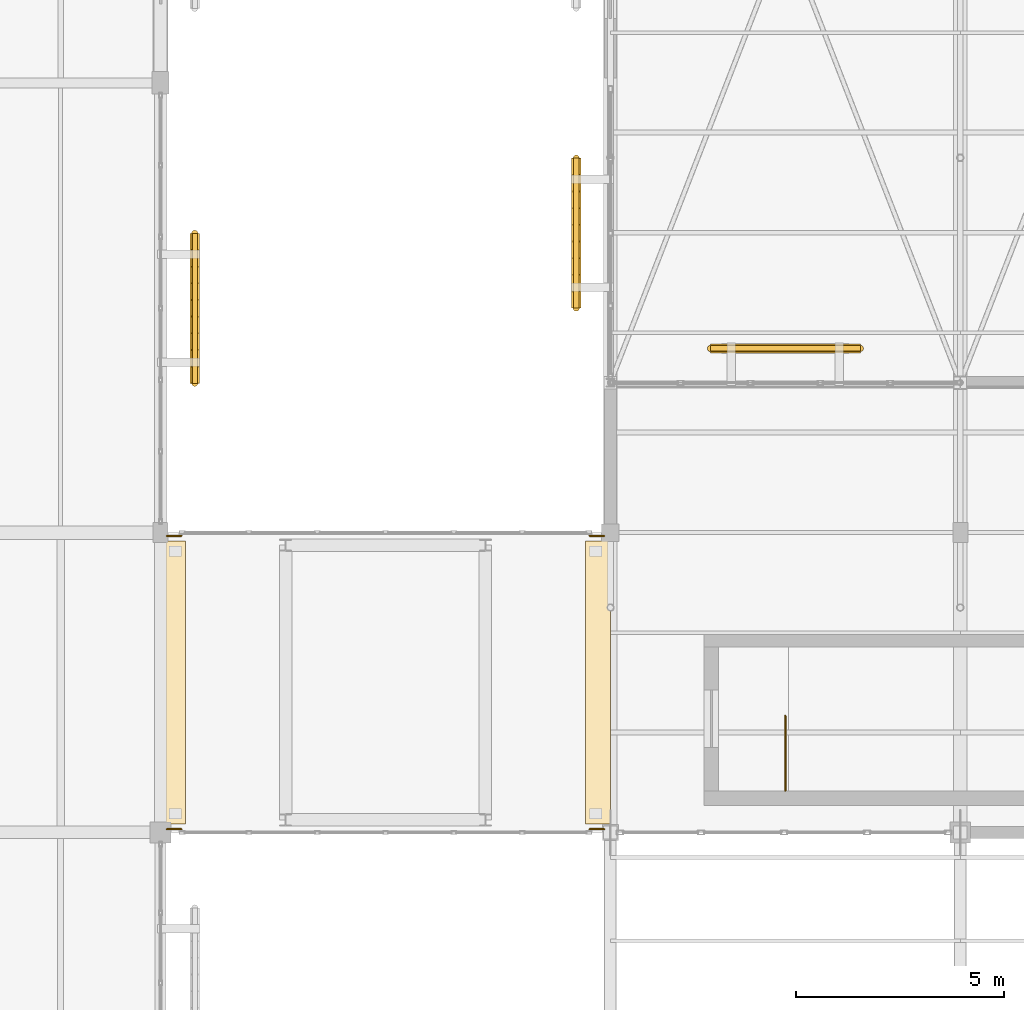
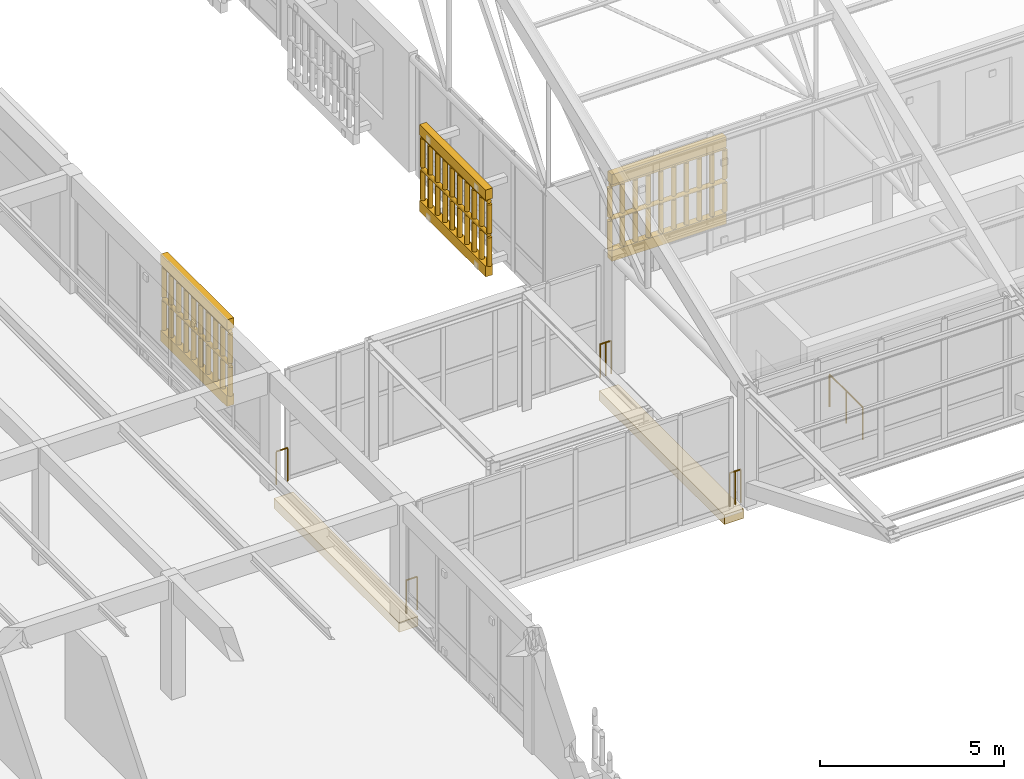
# One storey, part 205 of 217: 11 railings, 8 coverings.
"""IFC4 building model written with IfcOpenShell, lengths in metres."""

from ifc_helpers import new_model, si_unit, direction, frame, origin, origin_2d, place, context, subcontext, project, spatial, polyline, circle, outline, extrude, material, layer, layer_set, type_object, element, save


model = new_model("IFC4")

# Units and contexts
model_context = context("Model", 3, precision=1e-05, world=origin(), true_north=direction((0.0, 1.0)))
body_context = subcontext(model_context, "Body", "Model", "MODEL_VIEW")
ifc_project = project(units=[si_unit("LENGTHUNIT", "METRE"), si_unit("AREAUNIT", "SQUARE_METRE"), si_unit("VOLUMEUNIT", "CUBIC_METRE"), si_unit("PLANEANGLEUNIT", "RADIAN"), si_unit("MASSUNIT", "GRAM", prefix="KILO")], contexts=[model_context])

# Site, building, storey
site_placement = place(None, origin())
site = spatial("IfcSite", under=ifc_project, at=site_placement, CompositionType="ELEMENT")
building_placement = place(site_placement, origin())
building = spatial("IfcBuilding", under=site, at=building_placement, Name="Mazaris Harbour Polytechnic", CompositionType="ELEMENT")
storey_placement = place(building_placement, frame((0.0, 0.0, 9.60009765625)))
storey = spatial("IfcBuildingStorey", under=building, at=storey_placement, Name="L02", CompositionType="ELEMENT", Elevation=9.60009765625)

# Coverings
ifc_material_1 = material(Name="Concrete C40/50", Category="concrete")
ifc_layer_1 = layer(ifc_material_1, 0.320068359375, Name="Concrete C40/50")
ifc_layer_set_1 = layer_set([ifc_layer_1], Name="Concrete C40/50")
covering_type_1 = type_object("IfcCoveringType", Name="Bridge Bearing Corbel 600 Exterior", PredefinedType="CLADDING", material=ifc_layer_set_1)
covering_1_placement = place(storey_placement, frame((0.0, 0.0, -0.650146484375)))
element("IfcCovering", 1, at=covering_1_placement, inside=storey, type_object=covering_type_1, Name="PB-W2 L02 600mm Bridge Bearing Seat Corbel W", PredefinedType="CLADDING", context=body_context, shape_type="SweptSolid", body=[
    extrude(outline(polyline([(43.199951171875, 75.800048828125), (43.800048828125, 75.800048828125), (43.800048828125, 82.60009765625), (43.199951171875, 82.60009765625), (43.199951171875, 75.800048828125)])), origin(), (0.0, 0.0, 1.0), 0.320068359375),
])
covering_2_placement = place(storey_placement, frame((0.0, 0.0, -0.650146484375)))
element("IfcCovering", 2, at=covering_2_placement, inside=storey, type_object=covering_type_1, Name="PB-W2 L02 600mm Bridge Bearing Seat Corbel E", PredefinedType="CLADDING", context=body_context, shape_type="SweptSolid", body=[
    extrude(outline(polyline([(53.39990234375, 75.800048828125), (54.0, 75.800048828125), (54.0, 82.60009765625), (53.39990234375, 82.60009765625), (53.39990234375, 75.800048828125)])), origin(), (0.0, 0.0, 1.0), 0.320068359375),
])

# Railings
ifc_material_2 = material(Name="Steel S355", Category="steel")
railing_type_1 = type_object("IfcRailingType", Name="Mezzanine Steel Guardrail 1100 Exterior", PredefinedType="GUARDRAIL", material=ifc_material_2)
railing_1_placement = place(storey_placement, frame((43.35009765625, 75.679931640625, 0.0)))
element("IfcRailing", 3, at=railing_1_placement, inside=storey, type_object=railing_type_1, Name="PB-W2 L02 Bridge End Guard W0", PredefinedType="GUARDRAIL", context=body_context, shape_type="SweptSolid", body=[
    extrude(circle(Radius=0.02392578125, at=origin_2d()), frame((0.0, 0.0, 1.09619140625), z_axis=(1.0, 0.0, 0.0), x_axis=(0.0, 1.0, 0.0)), (0.0, 0.0, 1.0), 0.349853515625),
    extrude(circle(Radius=0.02099609375, at=origin_2d()), origin(), (0.0, 0.0, 1.0), 1.072021484375),
    extrude(circle(Radius=0.02099609375, at=origin_2d()), frame((0.349853515625, 0.0, 0.0)), (0.0, 0.0, 1.0), 1.072021484375),
])
railing_2_placement = place(storey_placement, frame((53.5, 75.679931640625, 0.0)))
element("IfcRailing", 4, at=railing_2_placement, inside=storey, type_object=railing_type_1, Name="PB-W2 L02 Bridge End Guard E0", PredefinedType="GUARDRAIL", context=body_context, shape_type="SweptSolid", body=[
    extrude(circle(Radius=0.02392578125, at=origin_2d()), frame((0.0, 0.0, 1.09619140625), z_axis=(1.0, 0.0, 0.0), x_axis=(0.0, 1.0, 0.0)), (0.0, 0.0, 1.0), 0.35009765625),
    extrude(circle(Radius=0.02099609375, at=origin_2d()), origin(), (0.0, 0.0, 1.0), 1.072021484375),
    extrude(circle(Radius=0.02099609375, at=origin_2d()), frame((0.175048828125, 0.0, 0.0)), (0.0, 0.0, 1.0), 1.072021484375),
    extrude(circle(Radius=0.02099609375, at=origin_2d()), frame((0.35009765625, 0.0, 0.0)), (0.0, 0.0, 1.0), 1.072021484375),
])
railing_3_placement = place(storey_placement, frame((43.35009765625, 82.719970703125, 0.0)))
element("IfcRailing", 5, at=railing_3_placement, inside=storey, type_object=railing_type_1, Name="PB-W2 L02 Bridge End Guard W1", PredefinedType="GUARDRAIL", context=body_context, shape_type="SweptSolid", body=[
    extrude(circle(Radius=0.02392578125, at=origin_2d()), frame((0.0, 0.0, 1.09619140625), z_axis=(1.0, 0.0, 0.0), x_axis=(0.0, 1.0, 0.0)), (0.0, 0.0, 1.0), 0.349853515625),
    extrude(circle(Radius=0.02099609375, at=origin_2d()), origin(), (0.0, 0.0, 1.0), 1.072021484375),
    extrude(circle(Radius=0.02099609375, at=origin_2d()), frame((0.349853515625, 0.0, 0.0)), (0.0, 0.0, 1.0), 1.072021484375),
])
railing_4_placement = place(storey_placement, frame((53.5, 82.719970703125, 0.0)))
element("IfcRailing", 6, at=railing_4_placement, inside=storey, type_object=railing_type_1, Name="PB-W2 L02 Bridge End Guard E1", PredefinedType="GUARDRAIL", context=body_context, shape_type="SweptSolid", body=[
    extrude(circle(Radius=0.02392578125, at=origin_2d()), frame((0.0, 0.0, 1.09619140625), z_axis=(1.0, 0.0, 0.0), x_axis=(0.0, 1.0, 0.0)), (0.0, 0.0, 1.0), 0.35009765625),
    extrude(circle(Radius=0.02099609375, at=origin_2d()), origin(), (0.0, 0.0, 1.0), 1.072021484375),
    extrude(circle(Radius=0.02099609375, at=origin_2d()), frame((0.175048828125, 0.0, 0.0)), (0.0, 0.0, 1.0), 1.072021484375),
    extrude(circle(Radius=0.02099609375, at=origin_2d()), frame((0.35009765625, 0.0, 0.0)), (0.0, 0.0, 1.0), 1.072021484375),
])
ifc_material_3 = material(Name="Perforated Earth-Coloured Terracotta Block", Category="masonry")
railing_type_2 = type_object("IfcRailingType", Name="Perforated Earth-Block Claustra Lattice 1040", PredefinedType="BALUSTRADE", material=ifc_material_3)
for number, where, name in (
    (7, (56.39990234375, 87.219970703125, 0.52001953125), "V1 L02 Lower Perforated Terracotta Block Screen 30"),
    (8, (56.39990234375, 87.219970703125, 1.60986328125), "V1 L02 Upper Perforated Terracotta Block Screen 30"),
):
    element("IfcRailing", number, at=place(storey_placement, frame(where)), inside=storey, type_object=railing_type_2, Name=name, PredefinedType="BALUSTRADE", context=body_context, shape_type="SweptSolid", body=[
        extrude(circle(Radius=0.06982421875, at=origin_2d()), frame((0.0, 0.0, 1.02001953125), z_axis=(1.0, 0.0, 0.0), x_axis=(0.0, 1.0, 0.0)), (0.0, 0.0, 1.0), 3.60009765625),
        extrude(circle(Radius=0.074951171875, at=origin_2d()), origin(), (0.0, 0.0, 1.0), 0.9501953125),
        extrude(circle(Radius=0.074951171875, at=origin_2d()), frame((0.39990234375, 0.0, 0.0)), (0.0, 0.0, 1.0), 0.9501953125),
        extrude(circle(Radius=0.074951171875, at=origin_2d()), frame((0.800048828125, 0.0, 0.0)), (0.0, 0.0, 1.0), 0.9501953125),
        extrude(circle(Radius=0.074951171875, at=origin_2d()), frame((1.199951171875, 0.0, 0.0)), (0.0, 0.0, 1.0), 0.9501953125),
        extrude(circle(Radius=0.074951171875, at=origin_2d()), frame((1.60009765625, 0.0, 0.0)), (0.0, 0.0, 1.0), 0.9501953125),
        extrude(circle(Radius=0.074951171875, at=origin_2d()), frame((2.0, 0.0, 0.0)), (0.0, 0.0, 1.0), 0.9501953125),
        extrude(circle(Radius=0.074951171875, at=origin_2d()), frame((2.400146484375, 0.0, 0.0)), (0.0, 0.0, 1.0), 0.9501953125),
        extrude(circle(Radius=0.074951171875, at=origin_2d()), frame((2.800048828125, 0.0, 0.0)), (0.0, 0.0, 1.0), 0.9501953125),
        extrude(circle(Radius=0.074951171875, at=origin_2d()), frame((3.2001953125, 0.0, 0.0)), (0.0, 0.0, 1.0), 0.9501953125),
        extrude(circle(Radius=0.074951171875, at=origin_2d()), frame((3.60009765625, 0.0, 0.0)), (0.0, 0.0, 1.0), 0.9501953125),
    ])
for number, where, name in (
    (9, (53.179931640625, 88.18994140625, 0.52001953125), "V1 L02 Lower Perforated Terracotta Block Screen 37"),
    (10, (53.179931640625, 88.18994140625, 1.60986328125), "V1 L02 Upper Perforated Terracotta Block Screen 37"),
):
    element("IfcRailing", number, at=place(storey_placement, frame(where)), inside=storey, type_object=railing_type_2, Name=name, PredefinedType="BALUSTRADE", context=body_context, shape_type="SweptSolid", body=[
        extrude(circle(Radius=0.06982421875, at=origin_2d()), frame((0.0, 0.0, 1.02001953125), z_axis=(0.0, 1.0, 0.0), x_axis=(-1.0, 0.0, 0.0)), (0.0, 0.0, 1.0), 3.60009765625),
        extrude(circle(Radius=0.074951171875, at=origin_2d()), origin(), (0.0, 0.0, 1.0), 0.9501953125),
        extrude(circle(Radius=0.074951171875, at=origin_2d()), frame((0.0, 0.39990234375, 0.0)), (0.0, 0.0, 1.0), 0.9501953125),
        extrude(circle(Radius=0.074951171875, at=origin_2d()), frame((0.0, 0.800048828125, 0.0)), (0.0, 0.0, 1.0), 0.9501953125),
        extrude(circle(Radius=0.074951171875, at=origin_2d()), frame((0.0, 1.199951171875, 0.0)), (0.0, 0.0, 1.0), 0.9501953125),
        extrude(circle(Radius=0.074951171875, at=origin_2d()), frame((0.0, 1.60009765625, 0.0)), (0.0, 0.0, 1.0), 0.9501953125),
        extrude(circle(Radius=0.074951171875, at=origin_2d()), frame((0.0, 2.0, 0.0)), (0.0, 0.0, 1.0), 0.9501953125),
        extrude(circle(Radius=0.074951171875, at=origin_2d()), frame((0.0, 2.400146484375, 0.0)), (0.0, 0.0, 1.0), 0.9501953125),
        extrude(circle(Radius=0.074951171875, at=origin_2d()), frame((0.0, 2.800048828125, 0.0)), (0.0, 0.0, 1.0), 0.9501953125),
        extrude(circle(Radius=0.074951171875, at=origin_2d()), frame((0.0, 3.2001953125, 0.0)), (0.0, 0.0, 1.0), 0.9501953125),
        extrude(circle(Radius=0.074951171875, at=origin_2d()), frame((0.0, 3.60009765625, 0.0)), (0.0, 0.0, 1.0), 0.9501953125),
    ])
for number, where, name in (
    (11, (44.02001953125, 89.985107421875, 0.52001953125), "V4 L02 Lower Perforated Terracotta Block Screen 233"),
    (12, (44.02001953125, 89.985107421875, 1.60986328125), "V4 L02 Upper Perforated Terracotta Block Screen 233"),
):
    element("IfcRailing", number, at=place(storey_placement, frame(where)), inside=storey, type_object=railing_type_2, Name=name, PredefinedType="BALUSTRADE", context=body_context, shape_type="SweptSolid", body=[
        extrude(circle(Radius=0.06982421875, at=origin_2d()), frame((0.0, 0.0, 1.02001953125), z_axis=(0.0, -1.0, 0.0), x_axis=(1.0, 0.0, 0.0)), (0.0, 0.0, 1.0), 3.60009765625),
        extrude(circle(Radius=0.074951171875, at=origin_2d()), origin(), (0.0, 0.0, 1.0), 0.9501953125),
        extrude(circle(Radius=0.074951171875, at=origin_2d()), frame((0.0, -0.39990234375, 0.0)), (0.0, 0.0, 1.0), 0.9501953125),
        extrude(circle(Radius=0.074951171875, at=origin_2d()), frame((0.0, -0.800048828125, 0.0)), (0.0, 0.0, 1.0), 0.9501953125),
        extrude(circle(Radius=0.074951171875, at=origin_2d()), frame((0.0, -1.199951171875, 0.0)), (0.0, 0.0, 1.0), 0.9501953125),
        extrude(circle(Radius=0.074951171875, at=origin_2d()), frame((0.0, -1.60009765625, 0.0)), (0.0, 0.0, 1.0), 0.9501953125),
        extrude(circle(Radius=0.074951171875, at=origin_2d()), frame((0.0, -2.0, 0.0)), (0.0, 0.0, 1.0), 0.9501953125),
        extrude(circle(Radius=0.074951171875, at=origin_2d()), frame((0.0, -2.400146484375, 0.0)), (0.0, 0.0, 1.0), 0.9501953125),
        extrude(circle(Radius=0.074951171875, at=origin_2d()), frame((0.0, -2.800048828125, 0.0)), (0.0, 0.0, 1.0), 0.9501953125),
        extrude(circle(Radius=0.074951171875, at=origin_2d()), frame((0.0, -3.2001953125, 0.0)), (0.0, 0.0, 1.0), 0.9501953125),
        extrude(circle(Radius=0.074951171875, at=origin_2d()), frame((0.0, -3.60009765625, 0.0)), (0.0, 0.0, 1.0), 0.9501953125),
    ])
ifc_material_4 = material(Name="Steel S355", Category="steel")
railing_type_3 = type_object("IfcRailingType", Name="Stair Well Guardrail 1100", PredefinedType="GUARDRAIL", material=ifc_material_4)
railing_5_placement = place(storey_placement, frame((58.199951171875, 76.60009765625, 0.0)))
element("IfcRailing", 13, at=railing_5_placement, inside=storey, type_object=railing_type_3, Name="L02 ST01 top well guard 1", PredefinedType="GUARDRAIL", context=body_context, shape_type="SweptSolid", body=[
    extrude(circle(Radius=0.02392578125, at=origin_2d()), frame((0.0, 0.0, 1.076171875), z_axis=(0.0, 1.0, 0.0), x_axis=(-1.0, 0.0, 0.0)), (0.0, 0.0, 1.0), 1.7998046875),
    extrude(circle(Radius=0.02099609375, at=origin_2d()), origin(), (0.0, 0.0, 1.0), 1.052001953125),
    extrude(circle(Radius=0.02099609375, at=origin_2d()), frame((0.0, 0.89990234375, 0.0)), (0.0, 0.0, 1.0), 1.052001953125),
    extrude(circle(Radius=0.02099609375, at=origin_2d()), frame((0.0, 1.7998046875, 0.0)), (0.0, 0.0, 1.0), 1.052001953125),
])

# Coverings
ifc_material_5 = material(Name="Perforated Earth-Coloured Terracotta Block", Category="masonry")
ifc_layer_2 = layer(ifc_material_5, 0.219970703125, Name="Perforated Earth-Coloured Terracotta Block")
ifc_layer_set_2 = layer_set([ifc_layer_2], Name="Perforated Earth-Coloured Terracotta Block")
covering_type_2 = type_object("IfcCoveringType", Name="Terracotta Screen Course Cladding 220", PredefinedType="CLADDING", material=ifc_layer_set_2)
covering_3_placement = place(storey_placement, frame((0.0, 0.0, 0.159912109375)))
element("IfcCovering", 14, at=covering_3_placement, inside=storey, type_object=covering_type_2, Name="V1 L02 Perforated Screen Sill Course 30", PredefinedType="CLADDING", context=body_context, shape_type="SweptSolid", body=[
    extrude(outline(polyline([(56.39990234375, 87.110107421875), (60.0, 87.110107421875), (60.0, 87.330078125), (56.39990234375, 87.330078125), (56.39990234375, 87.110107421875)])), origin(), (0.0, 0.0, 1.0), 0.360107421875),
])
covering_4_placement = place(storey_placement, frame((0.0, 0.0, 2.699951171875)))
element("IfcCovering", 15, at=covering_4_placement, inside=storey, type_object=covering_type_2, Name="V1 L02 Perforated Screen Lintel Course 30", PredefinedType="CLADDING", context=body_context, shape_type="SweptSolid", body=[
    extrude(outline(polyline([(56.39990234375, 87.110107421875), (60.0, 87.110107421875), (60.0, 87.330078125), (56.39990234375, 87.330078125), (56.39990234375, 87.110107421875)])), origin(), (0.0, 0.0, 1.0), 0.33984375),
])
covering_5_placement = place(storey_placement, frame((0.0, 0.0, 0.159912109375)))
element("IfcCovering", 16, at=covering_5_placement, inside=storey, type_object=covering_type_2, Name="V1 L02 Perforated Screen Sill Course 37", PredefinedType="CLADDING", context=body_context, shape_type="SweptSolid", body=[
    extrude(outline(polyline([(53.2900390625, 88.18994140625), (53.2900390625, 91.7900390625), (53.070068359375, 91.7900390625), (53.070068359375, 88.18994140625), (53.2900390625, 88.18994140625)])), origin(), (0.0, 0.0, 1.0), 0.360107421875),
])
covering_6_placement = place(storey_placement, frame((0.0, 0.0, 2.699951171875)))
element("IfcCovering", 17, at=covering_6_placement, inside=storey, type_object=covering_type_2, Name="V1 L02 Perforated Screen Lintel Course 37", PredefinedType="CLADDING", context=body_context, shape_type="SweptSolid", body=[
    extrude(outline(polyline([(53.2900390625, 88.18994140625), (53.2900390625, 91.7900390625), (53.070068359375, 91.7900390625), (53.070068359375, 88.18994140625), (53.2900390625, 88.18994140625)])), origin(), (0.0, 0.0, 1.0), 0.33984375),
])
covering_7_placement = place(storey_placement, frame((0.0, 0.0, 0.159912109375)))
element("IfcCovering", 18, at=covering_7_placement, inside=storey, type_object=covering_type_2, Name="V4 L02 Perforated Screen Sill Course 233", PredefinedType="CLADDING", context=body_context, shape_type="SweptSolid", body=[
    extrude(outline(polyline([(43.909912109375, 89.985107421875), (43.909912109375, 86.385009765625), (44.1298828125, 86.385009765625), (44.1298828125, 89.985107421875), (43.909912109375, 89.985107421875)])), origin(), (0.0, 0.0, 1.0), 0.360107421875),
])
covering_8_placement = place(storey_placement, frame((0.0, 0.0, 2.699951171875)))
element("IfcCovering", 19, at=covering_8_placement, inside=storey, type_object=covering_type_2, Name="V4 L02 Perforated Screen Lintel Course 233", PredefinedType="CLADDING", context=body_context, shape_type="SweptSolid", body=[
    extrude(outline(polyline([(43.909912109375, 89.985107421875), (43.909912109375, 86.385009765625), (44.1298828125, 86.385009765625), (44.1298828125, 89.985107421875), (43.909912109375, 89.985107421875)])), origin(), (0.0, 0.0, 1.0), 0.33984375),
])

save(model, "model.ifc")
